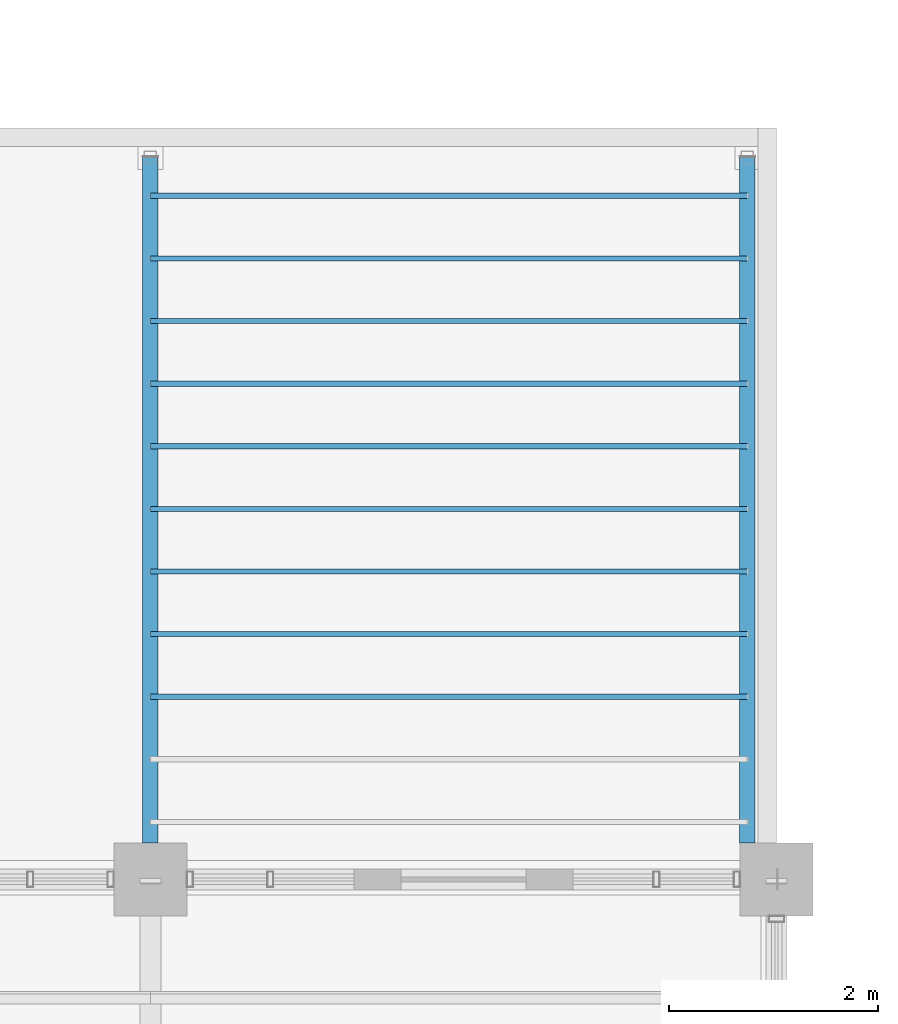
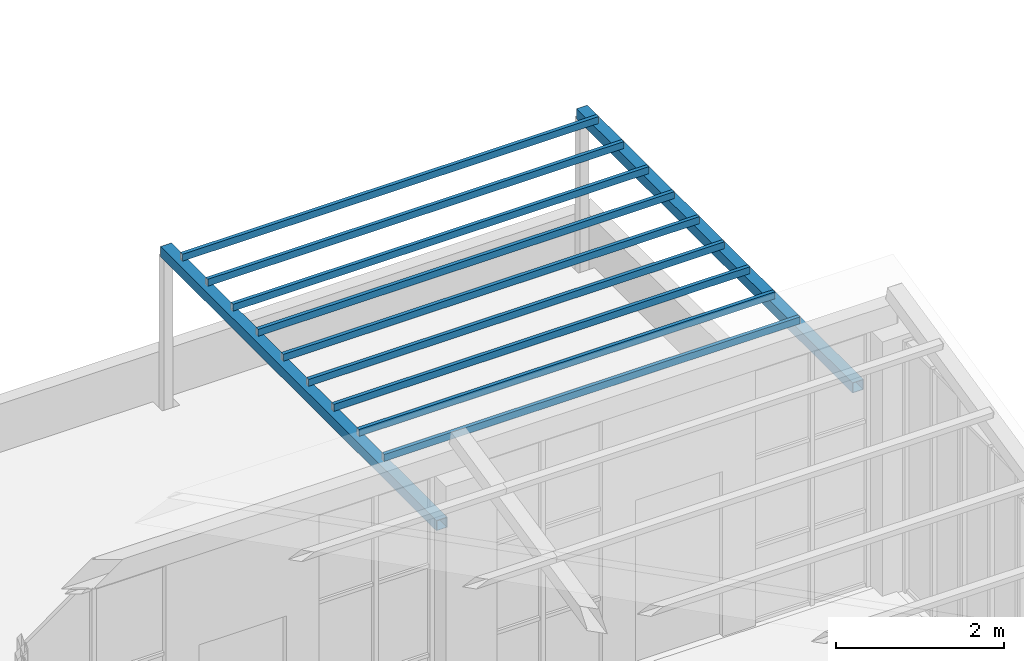
# One storey, part 24 of 51: 9 members, 2 beams.
"""IFC4 building model written with IfcOpenShell, lengths in metres."""

from ifc_helpers import new_model, si_unit, direction, frame, origin, origin_2d, place, context, subcontext, project, spatial, hollow_rectangle, extrude, material, material_profile, profile_set, type_object, element, save


model = new_model("IFC4")

# Units and contexts
model_context = context("Model", 3, precision=1e-05, world=origin(), true_north=direction((0.0, 1.0)))
body_context = subcontext(model_context, "Body", "Model", "MODEL_VIEW")
ifc_project = project(units=[si_unit("LENGTHUNIT", "METRE"), si_unit("AREAUNIT", "SQUARE_METRE"), si_unit("VOLUMEUNIT", "CUBIC_METRE"), si_unit("PLANEANGLEUNIT", "RADIAN"), si_unit("MASSUNIT", "GRAM", prefix="KILO")], contexts=[model_context])

# Site, building, storey
site_placement = place(None, origin())
site = spatial("IfcSite", under=ifc_project, at=site_placement, CompositionType="ELEMENT")
building_placement = place(site_placement, origin())
building = spatial("IfcBuilding", under=site, at=building_placement, Name="Laocheng Heights Fire and Rescue Headquarters", CompositionType="ELEMENT")
storey_placement = place(building_placement, frame((0.0, 0.0, 21.0)))
storey = spatial("IfcBuildingStorey", under=building, at=storey_placement, Name="L05", CompositionType="ELEMENT", Elevation=21.0)

# Beams
ifc_material_1 = material(Name="Steel Q355B", Category="steel")
ifc_material_profile_1 = material_profile(ifc_material_1, hollow_rectangle(XDim=0.14990234375, YDim=0.14990234375, WallThickness=0.006103515625, at=origin_2d()), Name="RHS 150x150x6")
ifc_profile_set_1 = profile_set([ifc_material_profile_1], Name="Steel Q355B")
beam_type = type_object("IfcBeamType", Name="STEEL TRELLIS BEAM RHS 150x150x6", PredefinedType="BEAM", material=ifc_profile_set_1)
for number, where, z_axis, x_axis, name in (
    (1, (102.0, 50.75, 2.625), (0.0, 1.0, 0.0), (-1.0, 0.0, 0.0), "Trellis beam"),
    (2, (107.719970703125, 50.75, 2.625), (0.0, 1.0, 0.0), (-1.0, 0.0, 0.0), "Trellis beam"),
):
    element("IfcBeam", number, at=place(storey_placement, frame(where, z_axis=z_axis, x_axis=x_axis)), inside=storey, type_object=beam_type, Name=name, PredefinedType="BEAM", context=body_context, shape_type="SweptSolid", body=[
        extrude(hollow_rectangle(XDim=0.14990234375, YDim=0.14990234375, WallThickness=0.006103515625, at=origin_2d()), origin(), (0.0, 0.0, 1.0), 6.570068359375),
    ])

# Members
ifc_material_2 = material(Name="Steel Q355B", Category="steel")
ifc_material_profile_2 = material_profile(ifc_material_2, hollow_rectangle(XDim=0.050048828125, YDim=0.10009765625, WallThickness=0.00390625, at=origin_2d()), Name="RHS 100x50x4")
ifc_profile_set_2 = profile_set([ifc_material_profile_2], Name="Steel Q355B")
member_type = type_object("IfcMemberType", Name="STEEL TRELLIS JOIST RHS 100x50x4", PredefinedType="MEMBER", material=ifc_profile_set_2)
for number, where, z_axis, x_axis, name in (
    (3, (102.0, 52.14990234375, 2.75), (1.0, 0.0, 0.0), (0.0, 1.0, 0.0), "Trellis crew garden joist"),
    (4, (102.0, 52.75, 2.75), (1.0, 0.0, 0.0), (0.0, 1.0, 0.0), "Trellis crew garden joist"),
    (5, (102.0, 53.35009765625, 2.75), (1.0, 0.0, 0.0), (0.0, 1.0, 0.0), "Trellis crew garden joist"),
    (6, (102.0, 53.949951171875, 2.75), (1.0, 0.0, 0.0), (0.0, 1.0, 0.0), "Trellis crew garden joist"),
    (7, (102.0, 54.550048828125, 2.75), (1.0, 0.0, 0.0), (0.0, 1.0, 0.0), "Trellis crew garden joist"),
    (8, (102.0, 55.14990234375, 2.75), (1.0, 0.0, 0.0), (0.0, 1.0, 0.0), "Trellis crew garden joist"),
    (9, (102.0, 55.75, 2.75), (1.0, 0.0, 0.0), (0.0, 1.0, 0.0), "Trellis crew garden joist"),
    (10, (102.0, 56.35009765625, 2.75), (1.0, 0.0, 0.0), (0.0, 1.0, 0.0), "Trellis crew garden joist"),
    (11, (102.0, 56.949951171875, 2.75), (1.0, 0.0, 0.0), (0.0, 1.0, 0.0), "Trellis crew garden joist"),
):
    element("IfcMember", number, at=place(storey_placement, frame(where, z_axis=z_axis, x_axis=x_axis)), inside=storey, type_object=member_type, Name=name, PredefinedType="MEMBER", context=body_context, shape_type="SweptSolid", body=[
        extrude(hollow_rectangle(XDim=0.050048828125, YDim=0.10009765625, WallThickness=0.00390625, at=origin_2d()), origin(), (0.0, 0.0, 1.0), 5.719970703125),
    ])

save(model, "model.ifc")
